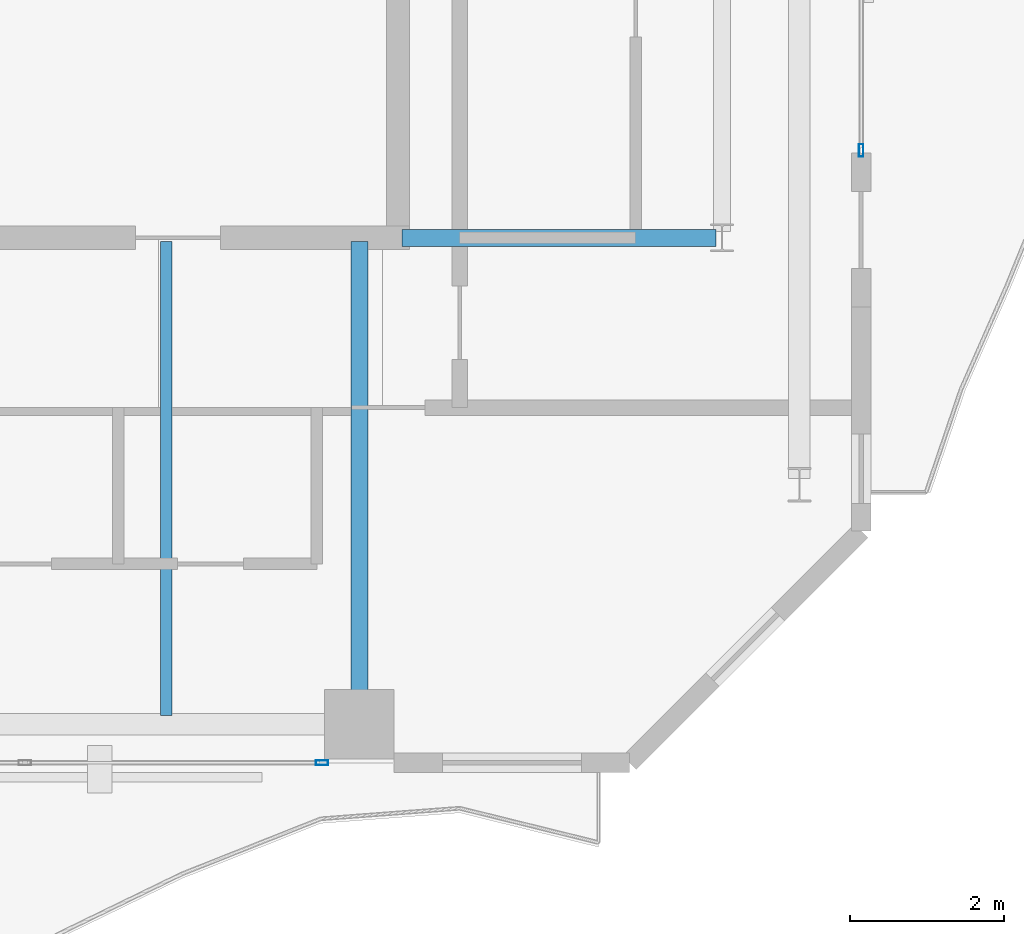
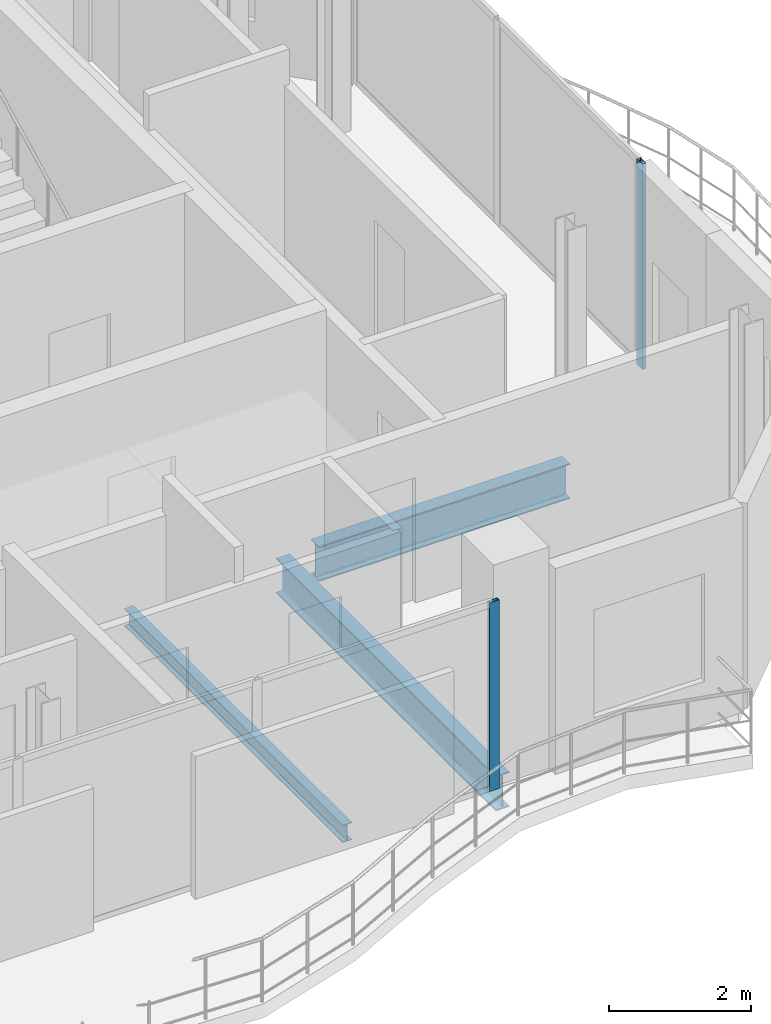
# One storey, part 14 of 22: 3 beams, 2 members, 2 elements without a shape of their own.
"""IFC4 building model written with IfcOpenShell, lengths in metres."""

from ifc_helpers import new_model, si_unit, direction, frame, origin, origin_2d, place, context, subcontext, project, spatial, hollow_rectangle, i_section, extrude, material, layer, layer_set, material_profile, profile_set, type_object, element, aggregate, save


model = new_model("IFC4")

# Units and contexts
model_context = context("Model", 3, precision=1e-05, world=origin(), true_north=direction((0.0, 1.0)))
body_context = subcontext(model_context, "Body", "Model", "MODEL_VIEW")
ifc_project = project(units=[si_unit("LENGTHUNIT", "METRE"), si_unit("AREAUNIT", "SQUARE_METRE"), si_unit("VOLUMEUNIT", "CUBIC_METRE"), si_unit("PLANEANGLEUNIT", "RADIAN"), si_unit("MASSUNIT", "GRAM", prefix="KILO")], contexts=[model_context])

# Site, building, storey
site_placement = place(None, origin())
site = spatial("IfcSite", under=ifc_project, at=site_placement, CompositionType="ELEMENT")
building_placement = place(site_placement, origin())
building = spatial("IfcBuilding", under=site, at=building_placement, Name="Catumbela Crestline Tower", CompositionType="ELEMENT")
storey_placement = place(building_placement, frame((0.0, 0.0, 226.0)))
storey = spatial("IfcBuildingStorey", under=building, at=storey_placement, Name="L58", CompositionType="ELEMENT", Elevation=226.0)

# Beams
ifc_material_1 = material(Name="Structural steel S355J2", Category="steel")
ifc_material_profile_1 = material_profile(ifc_material_1, i_section(OverallWidth=0.22, OverallDepth=0.6, WebThickness=0.012, FlangeThickness=0.019, FilletRadius=0.024, at=origin_2d()), Name="IPE 600")
ifc_profile_set_1 = profile_set([ifc_material_profile_1], Name="Structural steel S355J2")
beam_type_1 = type_object("IfcBeamType", Name="BG-IPE600", PredefinedType="BEAM", material=ifc_profile_set_1)
beam_1_placement = place(storey_placement, frame((40.05, 30.8, -0.56), z_axis=(1.0, 0.0, 0.0), x_axis=(0.0, 1.0, 0.0)))
element("IfcBeam", 1, at=beam_1_placement, inside=storey, type_object=beam_type_1, Name="L58 Beam BM-L58-M08", PredefinedType="BEAM", context=body_context, shape_type="SweptSolid", body=[
    extrude(i_section(OverallWidth=0.22, OverallDepth=0.6, WebThickness=0.012, FlangeThickness=0.019, FilletRadius=0.024, at=origin_2d()), origin(), (0.0, 0.0, 1.0), 4.07),
])
beam_2_placement = place(storey_placement, frame((39.5, 24.58, -0.56), z_axis=(0.0, 1.0, 0.0), x_axis=(-1.0, 0.0, 0.0)))
element("IfcBeam", 2, at=beam_2_placement, inside=storey, type_object=beam_type_1, Name="L58 Beam BM-L58-SNS18", PredefinedType="BEAM", context=body_context, shape_type="SweptSolid", body=[
    extrude(i_section(OverallWidth=0.22, OverallDepth=0.6, WebThickness=0.012, FlangeThickness=0.019, FilletRadius=0.024, at=origin_2d()), origin(), (0.0, 0.0, 1.0), 6.17),
])
ifc_material_profile_2 = material_profile(ifc_material_1, i_section(OverallWidth=0.15, OverallDepth=0.3, WebThickness=0.0071, FlangeThickness=0.0107, FilletRadius=0.015, at=origin_2d()), Name="IPE 300")
ifc_profile_set_2 = profile_set([ifc_material_profile_2], Name="Structural steel S355J2")
beam_type_2 = type_object("IfcBeamType", Name="BJ-IPE300", PredefinedType="JOIST", material=ifc_profile_set_2)
beam_3_placement = place(storey_placement, frame((37.0, 24.61, -0.41), z_axis=(0.0, 1.0, 0.0), x_axis=(-1.0, 0.0, 0.0)))
element("IfcBeam", 3, at=beam_3_placement, inside=storey, type_object=beam_type_2, Name="L58 Joist JS-L58-SP26", PredefinedType="JOIST", context=body_context, shape_type="SweptSolid", body=[
    extrude(i_section(OverallWidth=0.15, OverallDepth=0.3, WebThickness=0.0071, FlangeThickness=0.0107, FilletRadius=0.015, at=origin_2d()), origin(), (0.0, 0.0, 1.0), 6.14),
])

# Curtain wall, member
ifc_material_2 = material(Name="Aluminium alloy AW-6060-T66", Category="aluminium")
ifc_layer = layer(ifc_material_2, 0.18, Name="Aluminium alloy AW-6060-T66")
ifc_layer_set = layer_set([ifc_layer], Name="Aluminium alloy AW-6060-T66")
curtain_wall_type = type_object("IfcCurtainWallType", Name="CWU-Z4", PredefinedType="USERDEFINED", material=ifc_layer_set)
curtain_wall_1_placement = place(storey_placement, origin())
curtain_wall_1 = element("IfcCurtainWall", 4, at=curtain_wall_1_placement, inside=storey, type_object=curtain_wall_type, Name="L58 Unitised Curtain Wall CW-L58-E3S2", ObjectType="UNITISED", PredefinedType="USERDEFINED")
ifc_material_profile_3 = material_profile(ifc_material_2, hollow_rectangle(XDim=0.06, YDim=0.16, WallThickness=0.004, at=origin_2d()), Name="ALU 160x60x4")
ifc_profile_set_3 = profile_set([ifc_material_profile_3], Name="Aluminium alloy AW-6060-T66")
member_type = type_object("IfcMemberType", Name="MUL-160X60", PredefinedType="MULLION", material=ifc_profile_set_3)
member_1_placement = place(storey_placement, frame((39.0175, 24.0, 0.0), z_axis=(0.0, 0.0, 1.0), x_axis=(0.0, 1.0, 0.0)))
member_1 = element("IfcMember", 5, at=member_1_placement, type_object=member_type, Name="CWU-Z4 mullion 4", PredefinedType="MULLION", context=body_context, shape_type="SweptSolid", body=[
    extrude(hollow_rectangle(XDim=0.06, YDim=0.16, WallThickness=0.004, at=origin_2d()), origin(), (0.0, 0.0, 1.0), 3.24),
])
aggregate(curtain_wall_1, [member_1])

curtain_wall_2_placement = place(storey_placement, origin())
curtain_wall_2 = element("IfcCurtainWall", 6, at=curtain_wall_2_placement, inside=storey, type_object=curtain_wall_type, Name="L58 Unitised Curtain Wall CW-L58-E5S2", ObjectType="UNITISED", PredefinedType="USERDEFINED")
member_2_placement = place(storey_placement, frame((46.0, 31.9325, 0.0), z_axis=(0.0, 0.0, 1.0), x_axis=(-1.0, 0.0, 0.0)))
member_2 = element("IfcMember", 7, at=member_2_placement, type_object=member_type, Name="CWU-Z4 mullion 1", PredefinedType="MULLION", context=body_context, shape_type="SweptSolid", body=[
    extrude(hollow_rectangle(XDim=0.06, YDim=0.16, WallThickness=0.004, at=origin_2d()), origin(), (0.0, 0.0, 1.0), 3.53),
])
aggregate(curtain_wall_2, [member_2])

save(model, "model.ifc")
